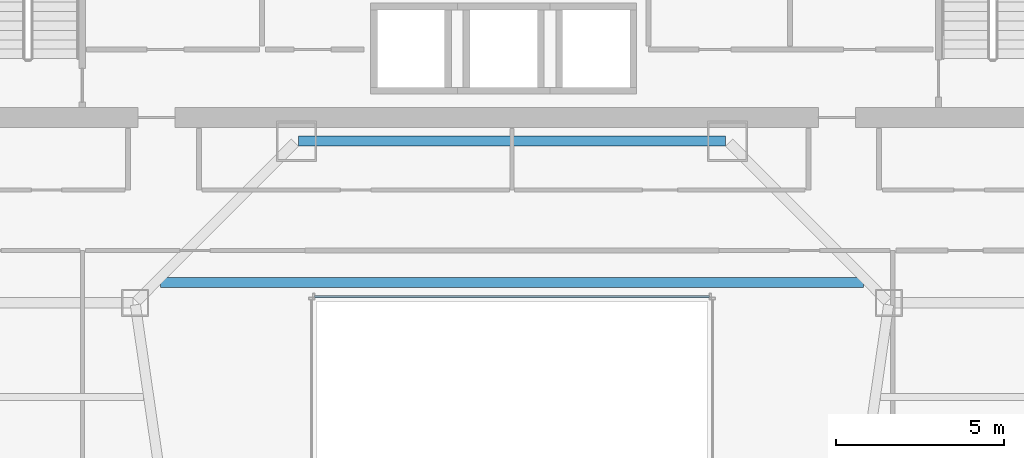
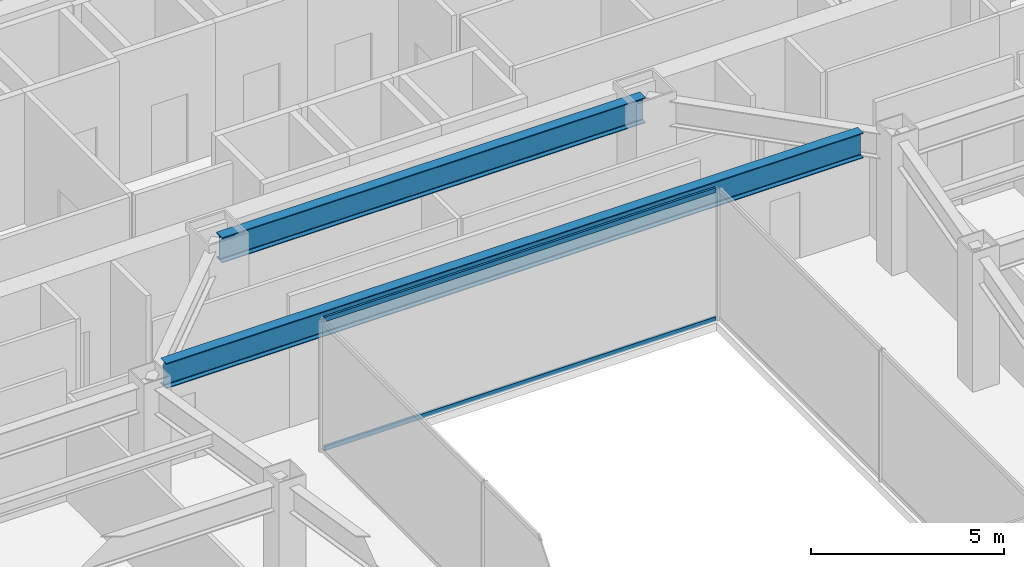
# One storey, part 25 of 47: 2 beams, 2 members, 1 element without a shape of its own.
"""IFC4 building model written with IfcOpenShell, lengths in metres."""

from ifc_helpers import new_model, si_unit, direction, frame, origin, origin_2d, place, context, subcontext, project, spatial, hollow_rectangle, i_section, extrude, material, material_profile, profile_set, type_object, element, aggregate, save


model = new_model("IFC4")

# Units and contexts
model_context = context("Model", 3, precision=1e-05, world=origin(), true_north=direction((0.0, 1.0)))
body_context = subcontext(model_context, "Body", "Model", "MODEL_VIEW")
ifc_project = project(units=[si_unit("LENGTHUNIT", "METRE"), si_unit("AREAUNIT", "SQUARE_METRE"), si_unit("VOLUMEUNIT", "CUBIC_METRE"), si_unit("PLANEANGLEUNIT", "RADIAN"), si_unit("MASSUNIT", "GRAM", prefix="KILO")], contexts=[model_context])

# Site, building, storey
site_placement = place(None, origin())
site = spatial("IfcSite", under=ifc_project, at=site_placement, CompositionType="ELEMENT")
building_placement = place(site_placement, origin())
building = spatial("IfcBuilding", under=site, at=building_placement, Name="Saevonmaru Cultural Tower", CompositionType="ELEMENT")
storey_placement = place(building_placement, frame((0.0, 0.0, 92.800048828125)))
storey = spatial("IfcBuildingStorey", under=building, at=storey_placement, Name="L19", CompositionType="ELEMENT", Elevation=92.800048828125)

# Beams
ifc_material_1 = material(Name="Steel SM420", Category="steel")
ifc_material_profile_1 = material_profile(ifc_material_1, i_section(OverallWidth=0.300048828125, OverallDepth=0.800048828125, WebThickness=0.013916015625, FlangeThickness=0.02587890625, FilletRadius=0.028076171875, at=origin_2d()), Name="H-800x300x14x26")
ifc_profile_set_1 = profile_set([ifc_material_profile_1], Name="Steel SM420")
beam_type = type_object("IfcBeamType", Name="BM-G-H800", PredefinedType="BEAM", material=ifc_profile_set_1)
beam_1_placement = place(storey_placement, frame((23.659912109375, 42.39990234375, 3.75), z_axis=(1.0, 0.0, 0.0), x_axis=(0.0, 1.0, 0.0)))
element("IfcBeam", 1, at=beam_1_placement, inside=storey, type_object=beam_type, Name="L19 Core South Girder 3", PredefinedType="BEAM", context=body_context, shape_type="SweptSolid", body=[
    extrude(i_section(OverallWidth=0.300048828125, OverallDepth=0.800048828125, WebThickness=0.013916015625, FlangeThickness=0.02587890625, FilletRadius=0.028076171875, at=origin_2d()), origin(), (0.0, 0.0, 1.0), 12.68017578125),
])
beam_2_placement = place(storey_placement, frame((19.56494140625, 38.199951171875, 3.75), z_axis=(1.0, 0.0, 0.0), x_axis=(0.0, 1.0, 0.0)))
element("IfcBeam", 2, at=beam_2_placement, inside=storey, type_object=beam_type, Name="L19 Central Link Girder", PredefinedType="BEAM", context=body_context, shape_type="SweptSolid", body=[
    extrude(i_section(OverallWidth=0.300048828125, OverallDepth=0.800048828125, WebThickness=0.013916015625, FlangeThickness=0.02587890625, FilletRadius=0.028076171875, at=origin_2d()), origin(), (0.0, 0.0, 1.0), 20.8701171875),
])

# Curtain wall, members
ifc_material_2 = material(Name="Satin Bronze Anodised Aluminium", Category="aluminium")
curtain_wall_type = type_object("IfcCurtainWallType", Name="CW-ATR-GLZ", PredefinedType="NOTDEFINED", material=ifc_material_2)
curtain_wall_placement = place(storey_placement, origin())
curtain_wall = element("IfcCurtainWall", 3, at=curtain_wall_placement, inside=storey, type_object=curtain_wall_type, Name="L19 Vertical Atrium Glazed Smoke Screen 3", PredefinedType="NOTDEFINED")
ifc_material_profile_2 = material_profile(ifc_material_2, hollow_rectangle(XDim=0.06494140625, YDim=0.14990234375, WallThickness=0.00390625, at=origin_2d()), Name="ALU-TRAN-150x65x4")
ifc_profile_set_2 = profile_set([ifc_material_profile_2], Name="Satin Bronze Anodised Aluminium")
member_type = type_object("IfcMemberType", Name="TR-CW-INT-150x65", PredefinedType="USERDEFINED", material=ifc_profile_set_2)
member_1_placement = place(storey_placement, frame((35.857421875, 37.7900390625, 0.032470703125), z_axis=(-1.0, 0.0, 0.0), x_axis=(0.0, -1.0, 0.0)))
member_1 = element("IfcMember", 4, at=member_1_placement, type_object=member_type, Name="CW-ATR-L19-3 transom 1.1", ObjectType="TRANSOM", PredefinedType="USERDEFINED", context=body_context, shape_type="SweptSolid", body=[
    extrude(hollow_rectangle(XDim=0.06494140625, YDim=0.14990234375, WallThickness=0.00390625, at=origin_2d()), origin(), (0.0, 0.0, 1.0), 11.71484375),
])
member_2_placement = place(storey_placement, frame((35.857421875, 37.7900390625, 4.117431640625), z_axis=(-1.0, 0.0, 0.0), x_axis=(0.0, -1.0, 0.0)))
member_2 = element("IfcMember", 5, at=member_2_placement, type_object=member_type, Name="CW-ATR-L19-3 transom 1.2", ObjectType="TRANSOM", PredefinedType="USERDEFINED", context=body_context, shape_type="SweptSolid", body=[
    extrude(hollow_rectangle(XDim=0.06494140625, YDim=0.14990234375, WallThickness=0.00390625, at=origin_2d()), origin(), (0.0, 0.0, 1.0), 11.71484375),
])
aggregate(curtain_wall, [member_1, member_2])

save(model, "model.ifc")
